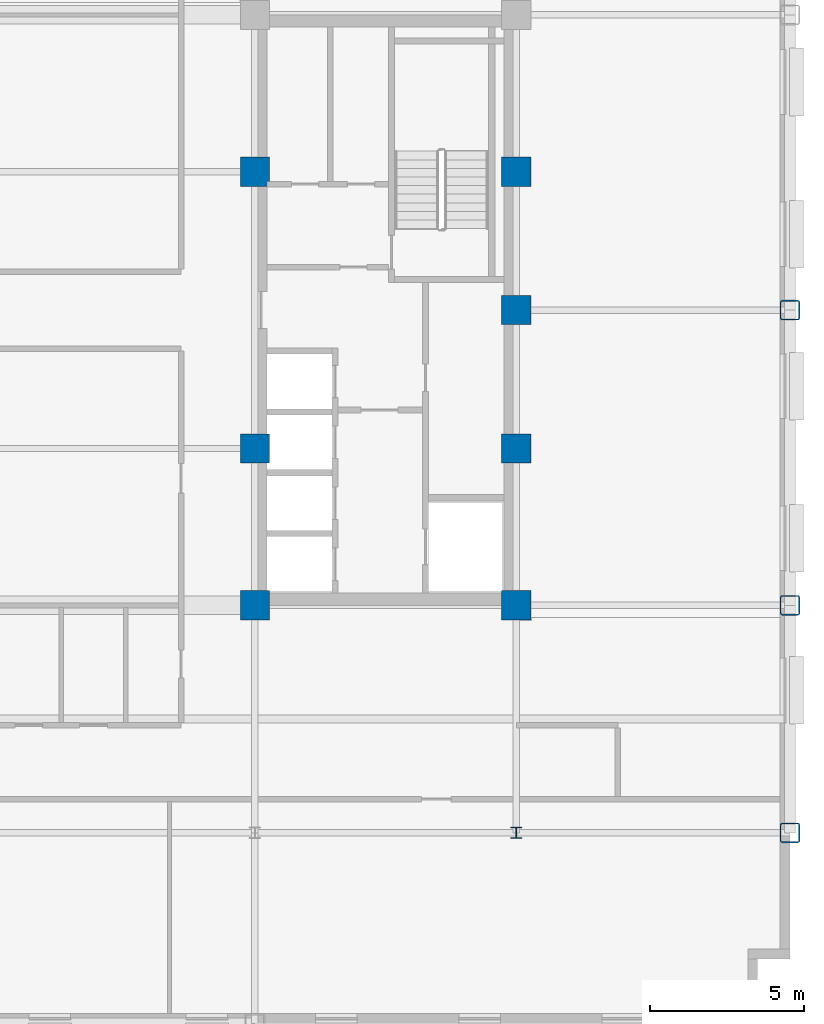
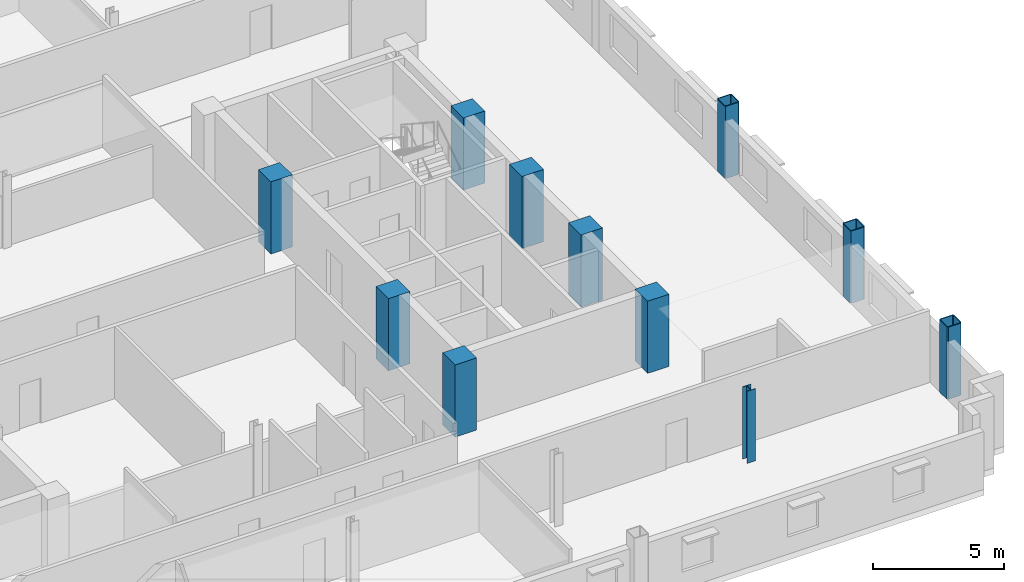
# One storey, part 2 of 13: 11 columns.
"""IFC4 building model written with IfcOpenShell, lengths in metres."""

from ifc_helpers import new_model, si_unit, direction, frame, origin, origin_2d, place, context, subcontext, project, spatial, rectangle, hollow_rectangle, i_section, extrude, material, material_profile, profile_set, type_object, element, save


model = new_model("IFC4")

# Units and contexts
model_context = context("Model", 3, precision=1e-05, world=origin(), true_north=direction((0.0, 1.0)))
body_context = subcontext(model_context, "Body", "Model", "MODEL_VIEW")
ifc_project = project(units=[si_unit("LENGTHUNIT", "METRE"), si_unit("AREAUNIT", "SQUARE_METRE"), si_unit("VOLUMEUNIT", "CUBIC_METRE"), si_unit("PLANEANGLEUNIT", "RADIAN"), si_unit("MASSUNIT", "GRAM", prefix="KILO")], contexts=[model_context])

# Site, building, storey
site_placement = place(None, origin())
site = spatial("IfcSite", under=ifc_project, at=site_placement, CompositionType="ELEMENT")
building_placement = place(site_placement, origin())
building = spatial("IfcBuilding", under=site, at=building_placement, Name="Nuvemarco Arch Tower", CompositionType="ELEMENT")
storey_placement = place(building_placement, frame((0.0, 0.0, 149.39990234375)))
storey = spatial("IfcBuildingStorey", under=building, at=storey_placement, Name="L39", CompositionType="ELEMENT", Elevation=149.39990234375)

# Columns
ifc_material_1 = material(Name="Concrete C50/60", Category="concrete")
ifc_material_profile_1 = material_profile(ifc_material_1, rectangle(XDim=0.949951171875, YDim=0.949951171875, at=origin_2d()), Name="RC-COL-950x950")
ifc_profile_set_1 = profile_set([ifc_material_profile_1], Name="Concrete C50/60")
column_type_1 = type_object("IfcColumnType", Name="COL-CORE-950", PredefinedType="COLUMN", material=ifc_profile_set_1)
for number, where, z_axis, x_axis, name in (
    (1, (9.0, -9.60009765625, 0.0), (0.0, 0.0, 1.0), (1.0, 0.0, 0.0), "L39 column CC_+9.0_-9.6"),
    (2, (9.0, -4.5, 0.0), (0.0, 0.0, 1.0), (1.0, 0.0, 0.0), "L39 column CC_+9.0_-4.5"),
    (3, (9.0, 4.5, 0.0), (0.0, 0.0, 1.0), (1.0, 0.0, 0.0), "L39 column CC_+9.0_+4.5"),
    (4, (17.5, -9.60009765625, 0.0), (0.0, 0.0, 1.0), (1.0, 0.0, 0.0), "L39 column CC_+17.5_-9.6"),
    (5, (17.5, -4.5, 0.0), (0.0, 0.0, 1.0), (1.0, 0.0, 0.0), "L39 column CC_+17.5_-4.5"),
    (6, (17.5, 4.5, 0.0), (0.0, 0.0, 1.0), (1.0, 0.0, 0.0), "L39 column CC_+17.5_+4.5"),
    (7, (17.5, 0.0, 0.0), (0.0, 0.0, 1.0), (1.0, 0.0, 0.0), "L39 column CC_+17.5_+0.0"),
):
    element("IfcColumn", number, at=place(storey_placement, frame(where, z_axis=z_axis, x_axis=x_axis)), inside=storey, type_object=column_type_1, Name=name, PredefinedType="COLUMN", context=body_context, shape_type="SweptSolid", body=[
        extrude(rectangle(XDim=0.949951171875, YDim=0.949951171875, at=origin_2d()), origin(), (0.0, 0.0, 1.0), 3.3701171875),
    ])
ifc_material_2 = material(Name="Steel S355", Category="steel")
ifc_material_profile_2 = material_profile(ifc_material_2, hollow_rectangle(XDim=0.64990234375, YDim=0.64990234375, WallThickness=0.0400390625, InnerFilletRadius=0.0400390625, OuterFilletRadius=0.080078125, at=origin_2d()), Name="SHS650x650x40")
ifc_profile_set_2 = profile_set([ifc_material_profile_2], Name="Steel S355")
column_type_2 = type_object("IfcColumnType", Name="COL-EXO-650", PredefinedType="COLUMN", material=ifc_profile_set_2)
for number, where, z_axis, x_axis, name in (
    (8, (26.39990234375, -17.0, 0.0), (0.0, 0.0, 1.0), (1.0, 0.0, 0.0), "L39 column CX_+26.4_-17.0"),
    (9, (26.39990234375, -9.60009765625, 0.0), (0.0, 0.0, 1.0), (1.0, 0.0, 0.0), "L39 column CX_+26.4_-9.6"),
    (10, (26.39990234375, 0.0, 0.0), (0.0, 0.0, 1.0), (1.0, 0.0, 0.0), "L39 column CX_+26.4_+0.0"),
):
    element("IfcColumn", number, at=place(storey_placement, frame(where, z_axis=z_axis, x_axis=x_axis)), inside=storey, type_object=column_type_2, Name=name, PredefinedType="COLUMN", context=body_context, shape_type="SweptSolid", body=[
        extrude(hollow_rectangle(XDim=0.64990234375, YDim=0.64990234375, WallThickness=0.0400390625, InnerFilletRadius=0.0400390625, OuterFilletRadius=0.080078125, at=origin_2d()), origin(), (0.0, 0.0, 1.0), 3.3701171875),
    ])
ifc_material_profile_3 = material_profile(ifc_material_2, i_section(OverallWidth=0.360107421875, OverallDepth=0.360107421875, WebThickness=0.0205078125, FlangeThickness=0.0205078125, FilletRadius=0.01806640625, at=origin_2d()), Name="HP360x174")
ifc_profile_set_3 = profile_set([ifc_material_profile_3], Name="Steel S355")
column_type_3 = type_object("IfcColumnType", Name="COL-STL-HP360", PredefinedType="COLUMN", material=ifc_profile_set_3)
column_placement = place(storey_placement, frame((17.5, -17.0, 0.0), z_axis=(0.0, 0.0, 1.0), x_axis=(1.0, 0.0, 0.0)))
element("IfcColumn", 11, at=column_placement, inside=storey, type_object=column_type_3, Name="L39 column CI_+17.5_-17.0", PredefinedType="COLUMN", context=body_context, shape_type="SweptSolid", body=[
    extrude(i_section(OverallWidth=0.360107421875, OverallDepth=0.360107421875, WebThickness=0.0205078125, FlangeThickness=0.0205078125, FilletRadius=0.01806640625, at=origin_2d()), origin(), (0.0, 0.0, 1.0), 3.3701171875),
])

save(model, "model.ifc")
